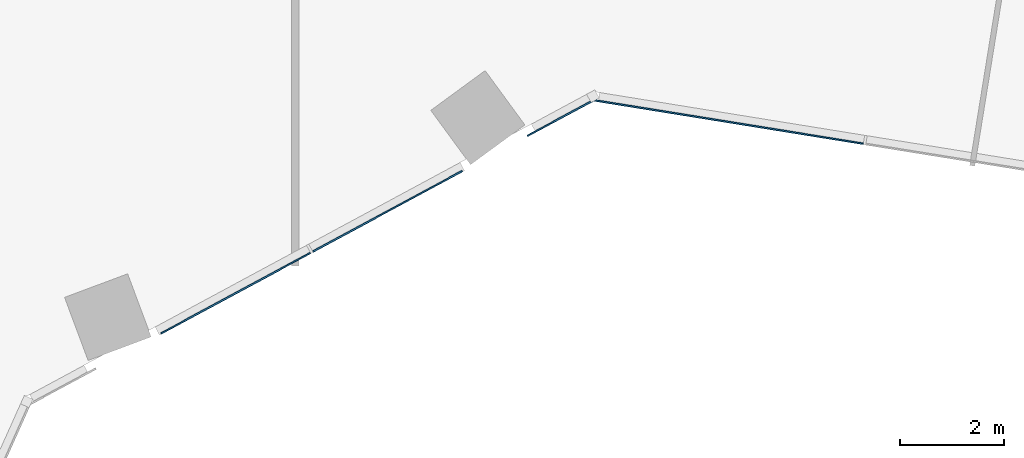
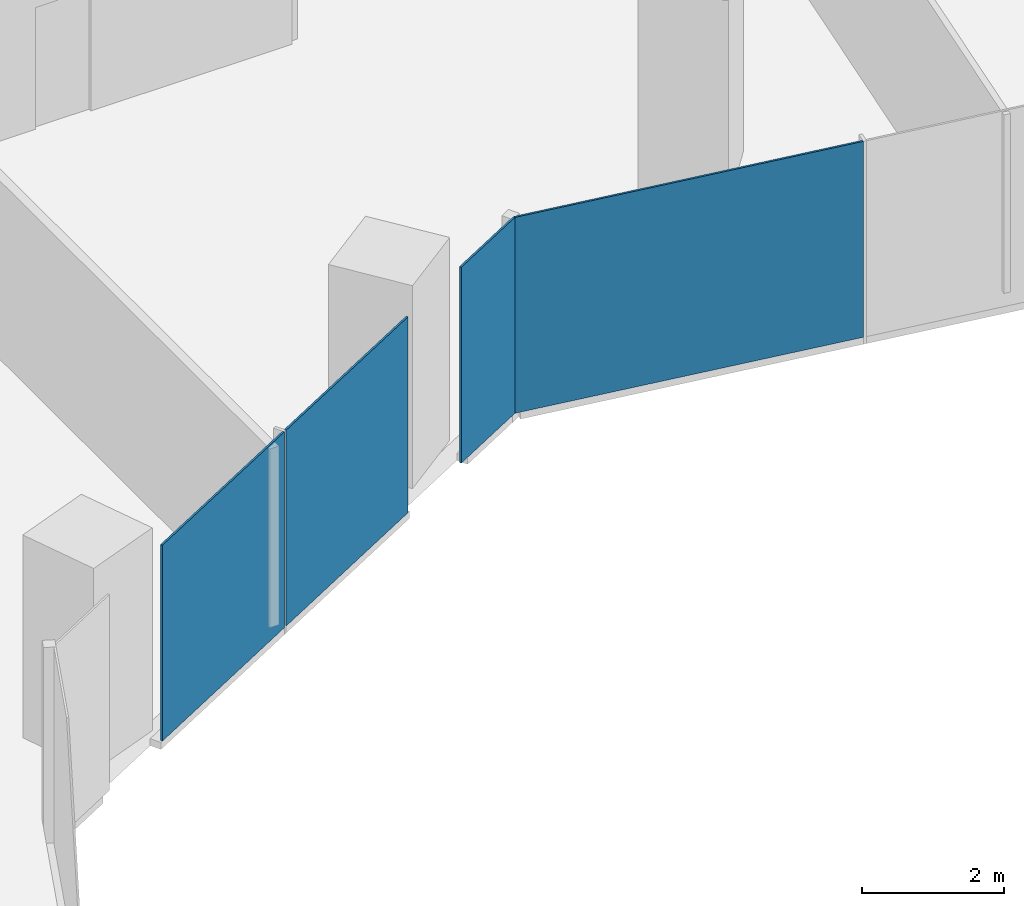
# One storey, part 20 of 34: 4 plates, 2 elements without a shape of their own.
"""IFC4 building model written with IfcOpenShell, lengths in metres."""

from ifc_helpers import new_model, si_unit, direction, frame, origin, origin_2d, place, context, subcontext, project, spatial, rectangle, extrude, material, layer, layer_set, type_object, element, aggregate, save


model = new_model("IFC4")

# Units and contexts
model_context = context("Model", 3, precision=1e-05, world=origin(), true_north=direction((0.0, 1.0)))
body_context = subcontext(model_context, "Body", "Model", "MODEL_VIEW")
ifc_project = project(units=[si_unit("LENGTHUNIT", "METRE"), si_unit("AREAUNIT", "SQUARE_METRE"), si_unit("VOLUMEUNIT", "CUBIC_METRE"), si_unit("PLANEANGLEUNIT", "RADIAN"), si_unit("MASSUNIT", "GRAM", prefix="KILO")], contexts=[model_context])

# Site, building, storey
site_placement = place(None, origin())
site = spatial("IfcSite", under=ifc_project, at=site_placement, CompositionType="ELEMENT")
building_placement = place(site_placement, origin())
building = spatial("IfcBuilding", under=site, at=building_placement, Name="Orlundy Tower", CompositionType="ELEMENT")
storey_placement = place(building_placement, frame((0.0, 0.0, 127.199951171875)))
storey = spatial("IfcBuildingStorey", under=building, at=storey_placement, Name="L32", CompositionType="ELEMENT", Elevation=127.199951171875)

# Curtain wall, plate
ifc_material_1 = material(Name="Aluminium bronze anodised", Category="aluminium")
curtain_wall_type = type_object("IfcCurtainWallType", Name="CW1 wall", PredefinedType="NOTDEFINED", material=ifc_material_1)
curtain_wall_1_placement = place(storey_placement, origin())
curtain_wall_1 = element("IfcCurtainWall", 1, at=curtain_wall_1_placement, inside=storey, type_object=curtain_wall_type, Name="CW1 run 016", PredefinedType="NOTDEFINED")
ifc_material_2 = material(Name="Tinted glass", Category="glass")
ifc_layer = layer(ifc_material_2, 0.031982421875)
ifc_layer_set = layer_set([ifc_layer], Name="CW1 glass panel 32")
plate_type = type_object("IfcPlateType", Name="CW1 glass panel 32", PredefinedType="CURTAIN_PANEL", material=ifc_layer_set)
plate_1_placement = place(storey_placement, frame((22.3662109375, -24.033935546875, -0.27978515625), z_axis=(0.0, 0.0, 1.0), x_axis=(-0.987228432558, 0.159311085453, 0.0)))
plate_1 = element("IfcPlate", 2, at=plate_1_placement, type_object=plate_type, Name="CW1 panel", PredefinedType="CURTAIN_PANEL", context=body_context, shape_type="SweptSolid", body=[
    extrude(rectangle(XDim=5.276123046875, YDim=0.031982421875, at=origin_2d()), origin(), (0.0, 0.0, 1.0), 3.3798828125),
])
aggregate(curtain_wall_1, [plate_1])

# Curtain wall, plates
curtain_wall_2_placement = place(storey_placement, origin())
curtain_wall_2 = element("IfcCurtainWall", 3, at=curtain_wall_2_placement, inside=storey, type_object=curtain_wall_type, Name="CW1 run 017", PredefinedType="NOTDEFINED")
plate_2_placement = place(storey_placement, frame((19.1240234375, -23.957763671875, -0.27978515625), z_axis=(0.0, 0.0, 1.0), x_axis=(-0.88019320423, -0.474615553081, 0.0)))
plate_2 = element("IfcPlate", 4, at=plate_2_placement, type_object=plate_type, Name="CW1 panel", PredefinedType="CURTAIN_PANEL", context=body_context, shape_type="SweptSolid", body=[
    extrude(rectangle(XDim=1.44921875, YDim=0.031982421875, at=origin_2d()), origin(), (0.0, 0.0, 1.0), 3.3798828125),
])
plate_3_placement = place(storey_placement, frame((15.7822265625, -25.759765625, -0.27978515625), z_axis=(0.0, 0.0, 1.0), x_axis=(-0.88019320423, -0.474615553081, 0.0)))
plate_3 = element("IfcPlate", 5, at=plate_3_placement, type_object=plate_type, Name="CW1 panel", PredefinedType="CURTAIN_PANEL", context=body_context, shape_type="SweptSolid", body=[
    extrude(rectangle(XDim=3.28173828125, YDim=0.031982421875, at=origin_2d()), origin(), (0.0, 0.0, 1.0), 3.3798828125),
])
plate_4_placement = place(storey_placement, frame((12.849609375, -27.341064453125, -0.27978515625), z_axis=(0.0, 0.0, 1.0), x_axis=(-0.88019320423, -0.474615553081, 0.0)))
plate_4 = element("IfcPlate", 6, at=plate_4_placement, type_object=plate_type, Name="CW1 panel", PredefinedType="CURTAIN_PANEL", context=body_context, shape_type="SweptSolid", body=[
    extrude(rectangle(XDim=3.28173828125, YDim=0.031982421875, at=origin_2d()), origin(), (0.0, 0.0, 1.0), 3.3798828125),
])
aggregate(curtain_wall_2, [plate_2, plate_3, plate_4])

save(model, "model.ifc")
